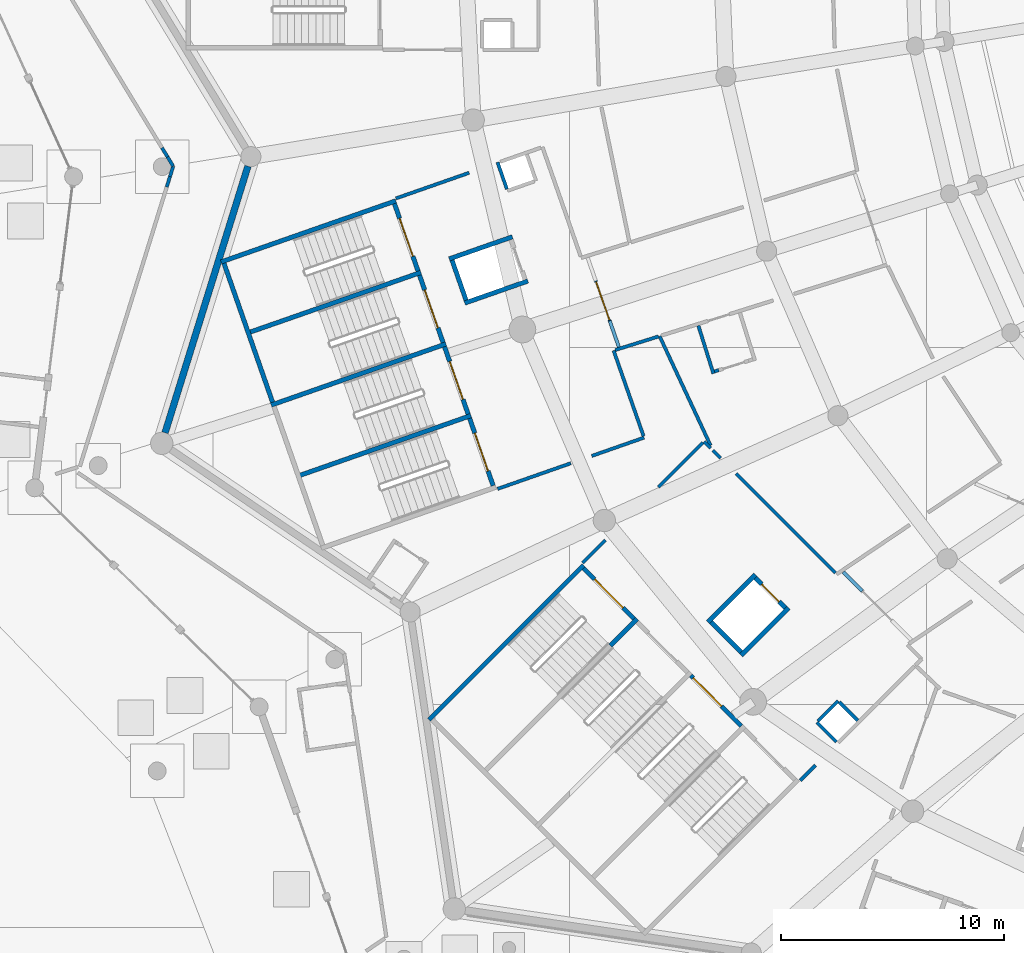
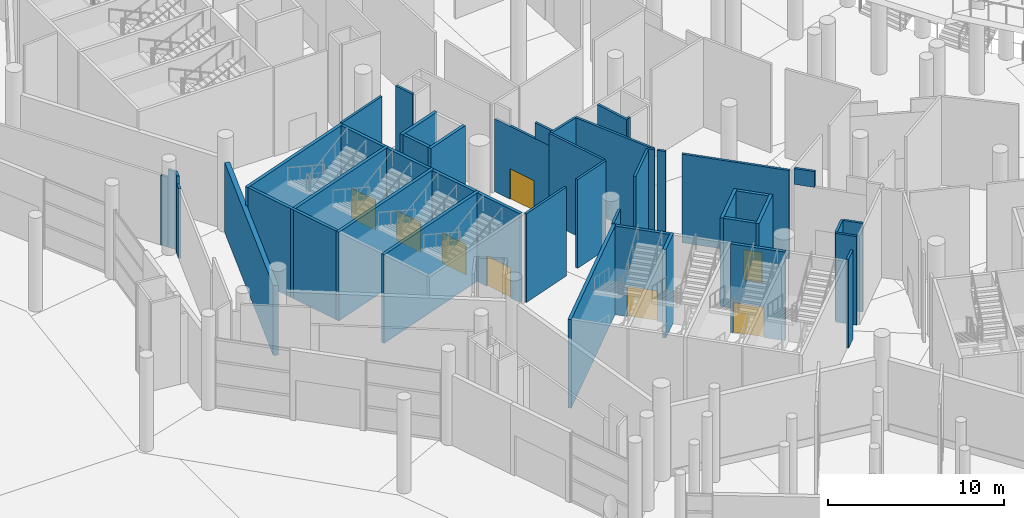
# One storey, part 102 of 255: 46 walls, 8 doors, 8 openings.
"""IFC4 building model written with IfcOpenShell, lengths in metres."""

from ifc_helpers import new_model, si_unit, direction, frame, frame_2d, origin, place, context, subcontext, project, spatial, rectangle, extrude, material, layer, layer_set, type_object, element, fill, save


model = new_model("IFC4")

# Units and contexts
model_context = context("Model", 3, precision=1e-05, world=origin(), true_north=direction((0.0, 1.0)))
body_context = subcontext(model_context, "Body", "Model", "MODEL_VIEW")
ifc_project = project(units=[si_unit("LENGTHUNIT", "METRE"), si_unit("AREAUNIT", "SQUARE_METRE"), si_unit("VOLUMEUNIT", "CUBIC_METRE"), si_unit("PLANEANGLEUNIT", "RADIAN"), si_unit("MASSUNIT", "GRAM", prefix="KILO")], contexts=[model_context])

# Site, building, storey
site_placement = place(None, origin())
site = spatial("IfcSite", under=ifc_project, at=site_placement, CompositionType="ELEMENT")
building_placement = place(site_placement, origin())
building = spatial("IfcBuilding", under=site, at=building_placement, Name="Meseta Stadium", CompositionType="ELEMENT")
storey_placement = place(building_placement, origin())
storey = spatial("IfcBuildingStorey", under=building, at=storey_placement, Name="L00", CompositionType="ELEMENT", Elevation=0.0)

# Walls
ifc_material_1 = material(Name="Concrete C40/50", Category="concrete")
ifc_layer_1 = layer(ifc_material_1, 0.199951171875)
ifc_layer_set_1 = layer_set([ifc_layer_1], Name="Core divider wall 200")
wall_type_1 = type_object("IfcWallType", Name="Core divider wall 200", PredefinedType="SHEAR", material=ifc_layer_set_1)
for number, where, z_axis, x_axis, name in (
    (1, (-94.505859375, -63.370849609375, 0.0), (0.0, 0.0, 1.0), (0.943878073457, 0.330294084791, 0.0), "Core 20 L00 stair A divider wall"),
    (2, (-92.260009765625, -69.789306640625, 0.0), (0.0, 0.0, 1.0), (0.943878073457, 0.330294084791, 0.0), "Core 20 L00 stair B divider wall"),
):
    element("IfcWall", number, at=place(storey_placement, frame(where, z_axis=z_axis, x_axis=x_axis)), inside=storey, type_object=wall_type_1, Name=name, PredefinedType="SHEAR", context=body_context, shape_type="SweptSolid", body=[
        extrude(rectangle(XDim=8.300048828125, YDim=0.199951171875, at=frame_2d((4.14990234375, 0.0))), origin(), (0.0, 0.0, 1.0), 6.14990234375),
    ])
wall_1_placement = place(storey_placement, frame((-78.17333984375, -77.364990234375, 0.0), z_axis=(0.0, 0.0, 1.0), x_axis=(0.707178586901, 0.707034968179, 0.0)))
element("IfcWall", 3, at=wall_1_placement, inside=storey, type_object=wall_type_1, Name="Core 21 L00 stair A divider wall", PredefinedType="SHEAR", context=body_context, shape_type="SweptSolid", body=[
    extrude(rectangle(XDim=1.699951171875, YDim=0.199951171875, at=frame_2d((0.85009765625, 0.0))), origin(), (0.0, 0.0, 1.0), 6.14990234375),
])
ifc_material_2 = material(Name="Concrete C40/50", Category="concrete")
ifc_layer_2 = layer(ifc_material_2, 0.199951171875)
ifc_layer_set_2 = layer_set([ifc_layer_2], Name="Core shaft wall 200")
wall_type_2 = type_object("IfcWallType", Name="Core shaft wall 200", PredefinedType="SHEAR", material=ifc_layer_set_2)
for number, where, z_axis, x_axis, name in (
    (4, (-95.62890625, -60.16162109375, 0.0), (0.0, 0.0, 1.0), (0.943887243331, 0.330267878966, 0.0), "Core 20 L00 stair wall A-side"),
    (5, (-93.3828125, -66.580078125, 0.0), (0.0, 0.0, 1.0), (0.943878073457, 0.330294084791, 0.0), "Core 20 L00 stair wall shared"),
):
    element("IfcWall", number, at=place(storey_placement, frame(where, z_axis=z_axis, x_axis=x_axis)), inside=storey, type_object=wall_type_2, Name=name, PredefinedType="SHEAR", context=body_context, shape_type="SweptSolid", body=[
        extrude(rectangle(XDim=8.300048828125, YDim=0.199951171875, at=frame_2d((4.14990234375, 0.0))), origin(), (0.0, 0.0, 1.0), 6.14990234375),
    ])
wall_2_placement = place(storey_placement, frame((-95.50146484375, -60.222900390625, 0.0), z_axis=(0.0, 0.0, 1.0), x_axis=(0.330286164688, -0.943880844925, 0.0)))
element("IfcWall", 6, at=wall_2_placement, inside=storey, type_object=wall_type_2, Name="Core 20 L00 stair A outer end wall", PredefinedType="SHEAR", context=body_context, shape_type="SweptSolid", body=[
    extrude(rectangle(XDim=6.60009765625, YDim=0.199951171875, at=frame_2d((3.300048828125, 0.0))), origin(), (0.0, 0.0, 1.0), 6.14990234375),
])

# Wall, opening, door
wall_3_placement = place(storey_placement, frame((-87.85595703125, -57.547607421875, 0.0), z_axis=(0.0, 0.0, 1.0), x_axis=(0.330268863922, -0.943886898693, 0.0)))
wall_3 = element("IfcWall", 7, at=wall_3_placement, inside=storey, type_object=wall_type_2, Name="Core 20 L00 stair A1 inner end wall", PredefinedType="SHEAR", context=body_context, shape_type="SweptSolid", body=[
    extrude(rectangle(XDim=3.2001953125, YDim=0.199951171875, at=frame_2d((1.60009765625, 0.0))), origin(), (0.0, 0.0, 1.0), 6.14990234375),
])
opening_1_placement = place(wall_3_placement, frame((0.699951171875, 0.0, 0.0)))
opening_1 = element("IfcOpeningElement", 8, at=opening_1_placement, cuts=wall_3, Name="Opening D273", PredefinedType="OPENING", context=body_context, shape_type="SweptSolid", body=[
    extrude(rectangle(XDim=1.800048828125, YDim=2.10009765625, at=frame_2d((0.89990234375, 1.050048828125))), frame((0.0, 0.10986328125, 0.0), z_axis=(0.0, -1.0, 0.0), x_axis=(1.0, 0.0, 0.0)), (0.0, 0.0, 1.0), 0.219970703125),
])
ifc_material_3 = material(Name="Steel", Category="steel")
door_type_1 = type_object("IfcDoorType", Name="Stair door 1800x2100", OperationType="DOUBLE_DOOR_SINGLE_SWING", PredefinedType="DOOR", material=ifc_material_3)
door_1_placement = place(opening_1_placement, origin())
door_1 = element("IfcDoor", 9, at=door_1_placement, inside=storey, type_object=door_type_1, Name="Stair A1 door 20 L00", OperationType="DOUBLE_DOOR_SINGLE_SWING", OverallHeight=2.10009765625, OverallWidth=1.800048828125, PredefinedType="DOOR", context=body_context, shape_type="SweptSolid", body=[
    extrude(rectangle(XDim=1.800048828125, YDim=2.10009765625, at=frame_2d((0.89990234375, 1.050048828125))), frame((0.0, 0.02490234375, 0.0), z_axis=(0.0, -1.0, 0.0), x_axis=(1.0, 0.0, 0.0)), (0.0, 0.0, 1.0), 0.050048828125),
])
fill(opening_1, door_1)

wall_4_placement = place(storey_placement, frame((-86.73291015625, -60.7568359375, 0.0), z_axis=(0.0, 0.0, 1.0), x_axis=(0.330268863922, -0.943886898693, 0.0)))
wall_4 = element("IfcWall", 10, at=wall_4_placement, inside=storey, type_object=wall_type_2, Name="Core 20 L00 stair A2 inner end wall", PredefinedType="SHEAR", context=body_context, shape_type="SweptSolid", body=[
    extrude(rectangle(XDim=3.2001953125, YDim=0.199951171875, at=frame_2d((1.60009765625, 0.0))), origin(), (0.0, 0.0, 1.0), 6.14990234375),
])
opening_2_placement = place(wall_4_placement, frame((0.699951171875, 0.0, 0.0)))
opening_2 = element("IfcOpeningElement", 11, at=opening_2_placement, cuts=wall_4, Name="Opening D274", PredefinedType="OPENING", context=body_context, shape_type="SweptSolid", body=[
    extrude(rectangle(XDim=1.800048828125, YDim=2.10009765625, at=frame_2d((0.89990234375, 1.050048828125))), frame((0.0, 0.10986328125, 0.0), z_axis=(0.0, -1.0, 0.0), x_axis=(1.0, 0.0, 0.0)), (0.0, 0.0, 1.0), 0.219970703125),
])
door_2_placement = place(opening_2_placement, origin())
door_2 = element("IfcDoor", 12, at=door_2_placement, inside=storey, type_object=door_type_1, Name="Stair A2 door 20 L00", OperationType="DOUBLE_DOOR_SINGLE_SWING", OverallHeight=2.10009765625, OverallWidth=1.800048828125, PredefinedType="DOOR", context=body_context, shape_type="SweptSolid", body=[
    extrude(rectangle(XDim=1.800048828125, YDim=2.10009765625, at=frame_2d((0.89990234375, 1.050048828125))), frame((0.0, 0.02490234375, 0.0), z_axis=(0.0, -1.0, 0.0), x_axis=(1.0, 0.0, 0.0)), (0.0, 0.0, 1.0), 0.050048828125),
])
fill(opening_2, door_2)

wall_5_placement = place(storey_placement, frame((-85.610107421875, -63.966064453125, 0.0), z_axis=(0.0, 0.0, 1.0), x_axis=(0.330268863922, -0.943886898693, 0.0)))
wall_5 = element("IfcWall", 13, at=wall_5_placement, inside=storey, type_object=wall_type_2, Name="Core 20 L00 stair B1 inner end wall", PredefinedType="SHEAR", context=body_context, shape_type="SweptSolid", body=[
    extrude(rectangle(XDim=3.2001953125, YDim=0.199951171875, at=frame_2d((1.60009765625, 0.0))), origin(), (0.0, 0.0, 1.0), 6.14990234375),
])
opening_3_placement = place(wall_5_placement, frame((0.699951171875, 0.0, 0.0)))
opening_3 = element("IfcOpeningElement", 14, at=opening_3_placement, cuts=wall_5, Name="Opening D275", PredefinedType="OPENING", context=body_context, shape_type="SweptSolid", body=[
    extrude(rectangle(XDim=1.800048828125, YDim=2.10009765625, at=frame_2d((0.89990234375, 1.050048828125))), frame((0.0, 0.10986328125, 0.0), z_axis=(0.0, -1.0, 0.0), x_axis=(1.0, 0.0, 0.0)), (0.0, 0.0, 1.0), 0.219970703125),
])
door_3_placement = place(opening_3_placement, origin())
door_3 = element("IfcDoor", 15, at=door_3_placement, inside=storey, type_object=door_type_1, Name="Stair B1 door 20 L00", OperationType="DOUBLE_DOOR_SINGLE_SWING", OverallHeight=2.10009765625, OverallWidth=1.800048828125, PredefinedType="DOOR", context=body_context, shape_type="SweptSolid", body=[
    extrude(rectangle(XDim=1.800048828125, YDim=2.10009765625, at=frame_2d((0.89990234375, 1.050048828125))), frame((0.0, 0.02490234375, 0.0), z_axis=(0.0, -1.0, 0.0), x_axis=(1.0, 0.0, 0.0)), (0.0, 0.0, 1.0), 0.050048828125),
])
fill(opening_3, door_3)

wall_6_placement = place(storey_placement, frame((-84.487060546875, -67.17529296875, 0.0), z_axis=(0.0, 0.0, 1.0), x_axis=(0.330268863922, -0.943886898693, 0.0)))
wall_6 = element("IfcWall", 16, at=wall_6_placement, inside=storey, type_object=wall_type_2, Name="Core 20 L00 stair B2 inner end wall", PredefinedType="SHEAR", context=body_context, shape_type="SweptSolid", body=[
    extrude(rectangle(XDim=3.2001953125, YDim=0.199951171875, at=frame_2d((1.60009765625, 0.0))), origin(), (0.0, 0.0, 1.0), 6.14990234375),
])
opening_4_placement = place(wall_6_placement, frame((0.699951171875, 0.0, 0.0)))
opening_4 = element("IfcOpeningElement", 17, at=opening_4_placement, cuts=wall_6, Name="Opening D276", PredefinedType="OPENING", context=body_context, shape_type="SweptSolid", body=[
    extrude(rectangle(XDim=1.800048828125, YDim=2.10009765625, at=frame_2d((0.89990234375, 1.050048828125))), frame((0.0, 0.10986328125, 0.0), z_axis=(0.0, -1.0, 0.0), x_axis=(1.0, 0.0, 0.0)), (0.0, 0.0, 1.0), 0.219970703125),
])
door_4_placement = place(opening_4_placement, origin())
door_4 = element("IfcDoor", 18, at=door_4_placement, inside=storey, type_object=door_type_1, Name="Stair B2 door 20 L00", OperationType="DOUBLE_DOOR_SINGLE_SWING", OverallHeight=2.10009765625, OverallWidth=1.800048828125, PredefinedType="DOOR", context=body_context, shape_type="SweptSolid", body=[
    extrude(rectangle(XDim=1.800048828125, YDim=2.10009765625, at=frame_2d((0.89990234375, 1.050048828125))), frame((0.0, 0.02490234375, 0.0), z_axis=(0.0, -1.0, 0.0), x_axis=(1.0, 0.0, 0.0)), (0.0, 0.0, 1.0), 0.050048828125),
])
fill(opening_4, door_4)

# Walls
wall_7_placement = place(storey_placement, frame((-85.39990234375, -60.025390625, 0.0), z_axis=(0.0, 0.0, 1.0), x_axis=(0.943900215722, 0.330230802259, 0.0)))
element("IfcWall", 19, at=wall_7_placement, inside=storey, type_object=wall_type_2, Name="Core 20 L00 lift shaft wall left", PredefinedType="SHEAR", context=body_context, shape_type="SweptSolid", body=[
    extrude(rectangle(XDim=3.0, YDim=0.199951171875, at=frame_2d((1.5, 0.0))), origin(), (0.0, 0.0, 1.0), 6.14990234375),
])
wall_8_placement = place(storey_placement, frame((-84.706298828125, -62.0078125, 0.0), z_axis=(0.0, 0.0, 1.0), x_axis=(0.943874847782, 0.330303302625, 0.0)))
element("IfcWall", 20, at=wall_8_placement, inside=storey, type_object=wall_type_2, Name="Core 20 L00 lift shaft wall right", PredefinedType="SHEAR", context=body_context, shape_type="SweptSolid", body=[
    extrude(rectangle(XDim=3.000244140625, YDim=0.199951171875, at=frame_2d((1.5, 0.0))), origin(), (0.0, 0.0, 1.0), 6.14990234375),
])
wall_9_placement = place(storey_placement, frame((-85.272216796875, -60.0869140625, 0.0), z_axis=(0.0, 0.0, 1.0), x_axis=(0.330224505327, -0.943902418729, 0.0)))
element("IfcWall", 21, at=wall_9_placement, inside=storey, type_object=wall_type_2, Name="Core 20 L00 lift shaft back wall", PredefinedType="SHEAR", context=body_context, shape_type="SweptSolid", body=[
    extrude(rectangle(XDim=1.900146484375, YDim=0.199951171875, at=frame_2d((0.9501953125, 0.0))), origin(), (0.0, 0.0, 1.0), 6.14990234375),
])
wall_10_placement = place(storey_placement, frame((-86.30517578125, -80.6884765625, 0.0), z_axis=(0.0, 0.0, 1.0), x_axis=(0.707106781187, 0.707106781187, 0.0)))
element("IfcWall", 22, at=wall_10_placement, inside=storey, type_object=wall_type_2, Name="Core 21 L00 stair wall A-side", PredefinedType="SHEAR", context=body_context, shape_type="SweptSolid", body=[
    extrude(rectangle(XDim=9.800048828125, YDim=0.199951171875, at=frame_2d((4.89990234375, 0.0))), origin(), (0.0, 0.0, 1.0), 6.14990234375),
])

# Wall, opening, door
wall_11_placement = place(storey_placement, frame((-79.37548828125, -73.900146484375, 0.0), z_axis=(0.0, 0.0, 1.0), x_axis=(0.707068634461, -0.707144925854, 0.0)))
wall_11 = element("IfcWall", 23, at=wall_11_placement, inside=storey, type_object=wall_type_2, Name="Core 21 L00 stair A1 inner end wall", PredefinedType="SHEAR", context=body_context, shape_type="SweptSolid", body=[
    extrude(rectangle(XDim=3.2001953125, YDim=0.199951171875, at=frame_2d((1.60009765625, 0.0))), origin(), (0.0, 0.0, 1.0), 6.14990234375),
])
opening_5_placement = place(wall_11_placement, frame((0.699951171875, 0.0, 0.0)))
opening_5 = element("IfcOpeningElement", 24, at=opening_5_placement, cuts=wall_11, Name="Opening D285", PredefinedType="OPENING", context=body_context, shape_type="SweptSolid", body=[
    extrude(rectangle(XDim=1.800048828125, YDim=2.10009765625, at=frame_2d((0.89990234375, 1.050048828125))), frame((0.0, 0.10986328125, 0.0), z_axis=(0.0, -1.0, 0.0), x_axis=(1.0, 0.0, 0.0)), (0.0, 0.0, 1.0), 0.219970703125),
])
door_5_placement = place(opening_5_placement, origin())
door_5 = element("IfcDoor", 25, at=door_5_placement, inside=storey, type_object=door_type_1, Name="Stair A1 door 21 L00", OperationType="DOUBLE_DOOR_SINGLE_SWING", OverallHeight=2.10009765625, OverallWidth=1.800048828125, PredefinedType="DOOR", context=body_context, shape_type="SweptSolid", body=[
    extrude(rectangle(XDim=1.800048828125, YDim=2.10009765625, at=frame_2d((0.89990234375, 1.050048828125))), frame((0.0, 0.02490234375, 0.0), z_axis=(0.0, -1.0, 0.0), x_axis=(1.0, 0.0, 0.0)), (0.0, 0.0, 1.0), 0.050048828125),
])
fill(opening_5, door_5)

wall_12_placement = place(storey_placement, frame((-74.567138671875, -78.70849609375, 0.0), z_axis=(0.0, 0.0, 1.0), x_axis=(0.707106781187, -0.707106781187, 0.0)))
wall_12 = element("IfcWall", 26, at=wall_12_placement, inside=storey, type_object=wall_type_2, Name="Core 21 L00 stair B1 inner end wall", PredefinedType="SHEAR", context=body_context, shape_type="SweptSolid", body=[
    extrude(rectangle(XDim=3.199951171875, YDim=0.199951171875, at=frame_2d((1.60009765625, 0.0))), origin(), (0.0, 0.0, 1.0), 6.14990234375),
])
opening_6_placement = place(wall_12_placement, frame((0.14990234375, 0.0, 0.0)))
opening_6 = element("IfcOpeningElement", 27, at=opening_6_placement, cuts=wall_12, Name="Opening D287", PredefinedType="OPENING", context=body_context, shape_type="SweptSolid", body=[
    extrude(rectangle(XDim=1.800048828125, YDim=2.10009765625, at=frame_2d((0.89990234375, 1.050048828125))), frame((0.0, 0.10986328125, 0.0), z_axis=(0.0, -1.0, 0.0), x_axis=(1.0, 0.0, 0.0)), (0.0, 0.0, 1.0), 0.219970703125),
])
door_6_placement = place(opening_6_placement, origin())
door_6 = element("IfcDoor", 28, at=door_6_placement, inside=storey, type_object=door_type_1, Name="Stair B1 door 21 L00", OperationType="DOUBLE_DOOR_SINGLE_SWING", OverallHeight=2.10009765625, OverallWidth=1.800048828125, PredefinedType="DOOR", context=body_context, shape_type="SweptSolid", body=[
    extrude(rectangle(XDim=1.800048828125, YDim=2.10009765625, at=frame_2d((0.89990234375, 1.050048828125))), frame((0.0, 0.02490234375, 0.0), z_axis=(0.0, -1.0, 0.0), x_axis=(1.0, 0.0, 0.0)), (0.0, 0.0, 1.0), 0.050048828125),
])
fill(opening_6, door_6)

# Walls
for number, where, z_axis, x_axis, name in (
    (29, (-73.796875, -76.311767578125, 0.0), (0.0, 0.0, 1.0), (0.707106781187, 0.707106781187, 0.0), "Core 21 L00 lift shaft wall left"),
    (30, (-72.311767578125, -77.796875, 0.0), (0.0, 0.0, 1.0), (0.707106781187, 0.707106781187, 0.0), "Core 21 L00 lift shaft wall right"),
):
    element("IfcWall", number, at=place(storey_placement, frame(where, z_axis=z_axis, x_axis=x_axis)), inside=storey, type_object=wall_type_2, Name=name, PredefinedType="SHEAR", context=body_context, shape_type="SweptSolid", body=[
        extrude(rectangle(XDim=3.0, YDim=0.199951171875, at=frame_2d((1.5, 0.0))), origin(), (0.0, 0.0, 1.0), 6.14990234375),
    ])
wall_13_placement = place(storey_placement, frame((-73.655517578125, -76.311767578125, 0.0), z_axis=(0.0, 0.0, 1.0), x_axis=(0.707106781187, -0.707106781187, 0.0)))
element("IfcWall", 31, at=wall_13_placement, inside=storey, type_object=wall_type_2, Name="Core 21 L00 lift shaft back wall", PredefinedType="SHEAR", context=body_context, shape_type="SweptSolid", body=[
    extrude(rectangle(XDim=1.900390625, YDim=0.199951171875, at=frame_2d((0.9501953125, 0.0))), origin(), (0.0, 0.0, 1.0), 6.14990234375),
])

# Wall, opening, door
wall_14_placement = place(storey_placement, frame((-71.675537109375, -74.331787109375, 0.0), z_axis=(0.0, 0.0, 1.0), x_axis=(0.707106781187, -0.707106781187, 0.0)))
wall_14 = element("IfcWall", 32, at=wall_14_placement, inside=storey, type_object=wall_type_2, Name="Core 21 L00 lift shaft front wall", PredefinedType="SHEAR", context=body_context, shape_type="SweptSolid", body=[
    extrude(rectangle(XDim=1.900390625, YDim=0.199951171875, at=frame_2d((0.9501953125, 0.0))), origin(), (0.0, 0.0, 1.0), 6.14990234375),
])
opening_7_placement = place(wall_14_placement, frame((0.39990234375, 0.0, 0.0)))
opening_7 = element("IfcOpeningElement", 33, at=opening_7_placement, cuts=wall_14, Name="Opening LD116", PredefinedType="OPENING", context=body_context, shape_type="SweptSolid", body=[
    extrude(rectangle(XDim=1.10009765625, YDim=2.10009765625, at=frame_2d((0.550048828125, 1.050048828125))), frame((0.0, 0.10986328125, 0.0), z_axis=(0.0, -1.0, 0.0), x_axis=(1.0, 0.0, 0.0)), (0.0, 0.0, 1.0), 0.219970703125),
])
ifc_material_4 = material(Name="Steel", Category="steel")
door_type_2 = type_object("IfcDoorType", Name="Lift landing door 1100x2100", OperationType="SLIDING_TO_LEFT", PredefinedType="DOOR", material=ifc_material_4)
door_7_placement = place(opening_7_placement, origin())
door_7 = element("IfcDoor", 34, at=door_7_placement, inside=storey, type_object=door_type_2, Name="Lift landing door LD116", OperationType="SLIDING_TO_RIGHT", OverallHeight=2.10009765625, OverallWidth=1.10009765625, PredefinedType="DOOR", context=body_context, shape_type="SweptSolid", body=[
    extrude(rectangle(XDim=1.10009765625, YDim=2.10009765625, at=frame_2d((0.550048828125, 1.050048828125))), frame((0.0, 0.02490234375, 0.0), z_axis=(0.0, -1.0, 0.0), x_axis=(1.0, 0.0, 0.0)), (0.0, 0.0, 1.0), 0.050048828125),
])
fill(opening_7, door_7)

# Walls
ifc_material_5 = material(Name="Masonry blockwork", Category="masonry")
ifc_layer_3 = layer(ifc_material_5, 0.14990234375)
ifc_layer_set_3 = layer_set([ifc_layer_3], Name="Partition 150")
wall_type_3 = type_object("IfcWallType", Name="Partition 150", PredefinedType="PARTITIONING", material=ifc_layer_set_3)
wall_15_placement = place(storey_placement, frame((-84.505126953125, -56.163330078125, 0.0), z_axis=(0.0, 0.0, 1.0), x_axis=(-0.943878042103, -0.330294174389, 0.0)))
element("IfcWall", 35, at=wall_15_placement, inside=storey, type_object=wall_type_3, Name="Partition L00 L00-cell18-2-0", PredefinedType="PARTITIONING", context=body_context, shape_type="SweptSolid", body=[
    extrude(rectangle(XDim=3.47998046875, YDim=0.14990234375, at=frame_2d((1.739990234375, 0.0))), origin(), (0.0, 0.0, 1.0), 6.14990234375),
])
wall_16_placement = place(storey_placement, frame((-68.080322265625, -74.108642578125, 0.0), z_axis=(0.0, 0.0, 1.0), x_axis=(-0.70712613939, 0.707087422453, 0.0)))
element("IfcWall", 36, at=wall_16_placement, inside=storey, type_object=wall_type_3, Name="Partition L00 L00-cell19-1-0", PredefinedType="PARTITIONING", context=body_context, shape_type="SweptSolid", body=[
    extrude(rectangle(XDim=6.3056640625, YDim=0.14990234375, at=frame_2d((3.15283203125, 0.0))), origin(), (0.0, 0.0, 1.0), 6.14990234375),
])
wall_17_placement = place(storey_placement, frame((-73.2333984375, -68.95556640625, 0.0), z_axis=(0.0, 0.0, 1.0), x_axis=(-0.707355281174, 0.706858193837, 0.0)))
element("IfcWall", 37, at=wall_17_placement, inside=storey, type_object=wall_type_3, Name="Partition L00 L00-cell19-1-0", PredefinedType="PARTITIONING", context=body_context, shape_type="SweptSolid", body=[
    extrude(rectangle(XDim=0.4912109375, YDim=0.14990234375, at=frame_2d((0.24560546875, 0.0))), origin(), (0.0, 0.0, 1.0), 6.14990234375),
])
wall_18_placement = place(storey_placement, frame((-73.683837890625, -68.386962890625, 0.0), z_axis=(0.0, 0.0, 1.0), x_axis=(-0.42266047211, 0.906288102821, 0.0)))
element("IfcWall", 38, at=wall_18_placement, inside=storey, type_object=wall_type_3, Name="Partition L00 L00-cell19-1-0", PredefinedType="PARTITIONING", context=body_context, shape_type="SweptSolid", body=[
    extrude(rectangle(XDim=5.406005859375, YDim=0.14990234375, at=frame_2d((2.703125, 0.0))), origin(), (0.0, 0.0, 1.0), 6.14990234375),
])
wall_19_placement = place(storey_placement, frame((-83.23193359375, -70.33837890625, 0.0), z_axis=(0.0, 0.0, 1.0), x_axis=(0.943878042103, 0.330294174389, 0.0)))
element("IfcWall", 39, at=wall_19_placement, inside=storey, type_object=wall_type_3, Name="Partition L00 L00-cell19-2-0", PredefinedType="PARTITIONING", context=body_context, shape_type="SweptSolid", body=[
    extrude(rectangle(XDim=3.47998046875, YDim=0.14990234375, at=frame_2d((1.739990234375, 0.0))), origin(), (0.0, 0.0, 1.0), 6.14990234375),
])
wall_20_placement = place(storey_placement, frame((-79.0087890625, -68.860595703125, 0.0), z_axis=(0.0, 0.0, 1.0), x_axis=(0.943873667714, 0.330306674768, 0.0)))
element("IfcWall", 40, at=wall_20_placement, inside=storey, type_object=wall_type_3, Name="Partition L00 L00-cell19-2-0", PredefinedType="PARTITIONING", context=body_context, shape_type="SweptSolid", body=[
    extrude(rectangle(XDim=2.485595703125, YDim=0.14990234375, at=frame_2d((1.24267578125, 0.0))), origin(), (0.0, 0.0, 1.0), 6.14990234375),
])
wall_21_placement = place(storey_placement, frame((-76.6875, -67.96875, 0.0), z_axis=(0.0, 0.0, 1.0), x_axis=(-0.330235334568, 0.943898630046, 0.0)))
element("IfcWall", 41, at=wall_21_placement, inside=storey, type_object=wall_type_3, Name="Partition L00 L00-cell19-2-0", PredefinedType="PARTITIONING", context=body_context, shape_type="SweptSolid", body=[
    extrude(rectangle(XDim=4.063232421875, YDim=0.14990234375, at=frame_2d((2.03173828125, 0.0))), origin(), (0.0, 0.0, 1.0), 6.14990234375),
])
wall_22_placement = place(storey_placement, frame((-77.957763671875, -64.111083984375, 0.0), z_axis=(0.0, 0.0, 1.0), x_axis=(0.954206277419, 0.299149427767, 0.0)))
element("IfcWall", 42, at=wall_22_placement, inside=storey, type_object=wall_type_3, Name="Partition L00 L00-cell19-2-0", PredefinedType="PARTITIONING", context=body_context, shape_type="SweptSolid", body=[
    extrude(rectangle(XDim=2.03466796875, YDim=0.14990234375, at=frame_2d((1.017333984375, 0.0))), origin(), (0.0, 0.0, 1.0), 6.14990234375),
])
wall_23_placement = place(storey_placement, frame((-73.68408203125, -68.5048828125, 0.0), z_axis=(0.0, 0.0, 1.0), x_axis=(-0.707106781187, 0.707106781187, 0.0)))
element("IfcWall", 43, at=wall_23_placement, inside=storey, type_object=wall_type_3, Name="Partition L00 L00-cell19-2-0", PredefinedType="PARTITIONING", context=body_context, shape_type="SweptSolid", body=[
    extrude(rectangle(XDim=0.4091796875, YDim=0.14990234375, at=frame_2d((0.20458984375, 0.0))), origin(), (0.0, 0.0, 1.0), 6.14990234375),
])
wall_24_placement = place(storey_placement, frame((-74.026611328125, -68.2685546875, 0.0), z_axis=(0.0, 0.0, 1.0), x_axis=(-0.707106781187, -0.707106781187, 0.0)))
element("IfcWall", 44, at=wall_24_placement, inside=storey, type_object=wall_type_3, Name="Partition L00 L00-cell19-2-0", PredefinedType="PARTITIONING", context=body_context, shape_type="SweptSolid", body=[
    extrude(rectangle(XDim=2.812255859375, YDim=0.14990234375, at=frame_2d((1.40625, 0.0))), origin(), (0.0, 0.0, 1.0), 6.14990234375),
])
wall_25_placement = place(storey_placement, frame((-78.39697265625, -72.638916015625, 0.0), z_axis=(0.0, 0.0, 1.0), x_axis=(-0.707106781187, -0.707106781187, 0.0)))
element("IfcWall", 45, at=wall_25_placement, inside=storey, type_object=wall_type_3, Name="Partition L00 L00-cell19-2-0", PredefinedType="PARTITIONING", context=body_context, shape_type="SweptSolid", body=[
    extrude(rectangle(XDim=1.44384765625, YDim=0.14990234375, at=frame_2d((0.721923828125, 0.0))), origin(), (0.0, 0.0, 1.0), 6.14990234375),
])
wall_26_placement = place(storey_placement, frame((-69.659912109375, -83.41796875, 0.0), z_axis=(0.0, 0.0, 1.0), x_axis=(0.706980568466, 0.707232971383, 0.0)))
element("IfcWall", 46, at=wall_26_placement, inside=storey, type_object=wall_type_3, Name="Partition L00 L00-cell20-2-0", PredefinedType="PARTITIONING", context=body_context, shape_type="SweptSolid", body=[
    extrude(rectangle(XDim=0.96728515625, YDim=0.14990234375, at=frame_2d((0.483642578125, 0.0))), origin(), (0.0, 0.0, 1.0), 6.14990234375),
])
wall_27_placement = place(storey_placement, frame((-98.2802734375, -55.044677734375, 0.0), z_axis=(0.0, 0.0, 1.0), x_axis=(0.519690320674, -0.854354710058, 0.0)))
element("IfcWall", 47, at=wall_27_placement, inside=storey, type_object=wall_type_3, Name="Partition L00 L00-ring18-0", PredefinedType="PARTITIONING", context=body_context, shape_type="SweptSolid", body=[
    extrude(rectangle(XDim=0.48291015625, YDim=0.14990234375, at=frame_2d((0.241455078125, 0.0))), origin(), (0.0, 0.0, 1.0), 4.85009765625),
])
wall_28_placement = place(storey_placement, frame((-98.029296875, -55.457275390625, 0.0), z_axis=(0.0, 0.0, 1.0), x_axis=(0.518951736183, -0.854803542056, 0.0)))
element("IfcWall", 48, at=wall_28_placement, inside=storey, type_object=wall_type_3, Name="Partition L00 L00-ring18-0", PredefinedType="PARTITIONING", context=body_context, shape_type="SweptSolid", body=[
    extrude(rectangle(XDim=0.482666015625, YDim=0.14990234375, at=frame_2d((0.2412109375, 0.0))), origin(), (0.0, 0.0, 1.0), 5.39990234375),
])
wall_29_placement = place(storey_placement, frame((-97.77880859375, -55.869873046875, 0.0), z_axis=(0.0, 0.0, 1.0), x_axis=(-0.296873171233, -0.954916917958, 0.0)))
element("IfcWall", 49, at=wall_29_placement, inside=storey, type_object=wall_type_3, Name="Partition L00 L00-ring18-0", PredefinedType="PARTITIONING", context=body_context, shape_type="SweptSolid", body=[
    extrude(rectangle(XDim=0.486083984375, YDim=0.14990234375, at=frame_2d((0.2431640625, 0.0))), origin(), (0.0, 0.0, 1.0), 5.39990234375),
])
wall_30_placement = place(storey_placement, frame((-97.923095703125, -56.333984375, 0.0), z_axis=(0.0, 0.0, 1.0), x_axis=(-0.296730832925, -0.95496115774, 0.0)))
element("IfcWall", 50, at=wall_30_placement, inside=storey, type_object=wall_type_3, Name="Partition L00 L00-ring18-0", PredefinedType="PARTITIONING", context=body_context, shape_type="SweptSolid", body=[
    extrude(rectangle(XDim=0.486328125, YDim=0.14990234375, at=frame_2d((0.2431640625, 0.0))), origin(), (0.0, 0.0, 1.0), 4.85009765625),
])
wall_31_placement = place(storey_placement, frame((-83.234619140625, -55.692138671875, 0.0), z_axis=(0.0, 0.0, 1.0), x_axis=(0.330324835387, -0.943867312246, 0.0)))
element("IfcWall", 51, at=wall_31_placement, inside=storey, type_object=wall_type_3, Name="Pressurisation shaft wall L00 core 20", PredefinedType="PARTITIONING", context=body_context, shape_type="SweptSolid", body=[
    extrude(rectangle(XDim=1.27490234375, YDim=0.14990234375, at=frame_2d((0.637451171875, 0.0))), origin(), (0.0, 0.0, 1.0), 6.14990234375),
])
wall_32_placement = place(storey_placement, frame((-68.917724609375, -80.802001953125, 0.0), z_axis=(0.0, 0.0, 1.0), x_axis=(0.707106781187, -0.707106781187, 0.0)))
element("IfcWall", 52, at=wall_32_placement, inside=storey, type_object=wall_type_3, Name="Pressurisation shaft wall L00 core 21", PredefinedType="PARTITIONING", context=body_context, shape_type="SweptSolid", body=[
    extrude(rectangle(XDim=1.248779296875, YDim=0.14990234375, at=frame_2d((0.62451171875, 0.0))), origin(), (0.0, 0.0, 1.0), 6.14990234375),
])
wall_33_placement = place(storey_placement, frame((-67.080078125, -80.73046875, 0.0), z_axis=(0.0, 0.0, 1.0), x_axis=(-0.707106781187, 0.707106781187, 0.0)))
element("IfcWall", 53, at=wall_33_placement, inside=storey, type_object=wall_type_3, Name="Pressurisation shaft wall L00 core 21", PredefinedType="PARTITIONING", context=body_context, shape_type="SweptSolid", body=[
    extrude(rectangle(XDim=1.173828125, YDim=0.14990234375, at=frame_2d((0.5869140625, 0.0))), origin(), (0.0, 0.0, 1.0), 6.14990234375),
])
wall_34_placement = place(storey_placement, frame((-67.963134765625, -79.847412109375, 0.0), z_axis=(0.0, 0.0, 1.0), x_axis=(-0.707202523759, -0.707011025648, 0.0)))
element("IfcWall", 54, at=wall_34_placement, inside=storey, type_object=wall_type_3, Name="Pressurisation shaft wall L00 core 21", PredefinedType="PARTITIONING", context=body_context, shape_type="SweptSolid", body=[
    extrude(rectangle(XDim=1.27490234375, YDim=0.14990234375, at=frame_2d((0.637451171875, 0.0))), origin(), (0.0, 0.0, 1.0), 6.14990234375),
])
wall_35_placement = place(storey_placement, frame((-74.228271484375, -63.0205078125, 0.0), z_axis=(0.0, 0.0, 1.0), x_axis=(0.299250977053, -0.954174435171, 0.0)))
element("IfcWall", 55, at=wall_35_placement, inside=storey, type_object=wall_type_3, Name="Partition L00 L00-cell19-1-0 vestibule", PredefinedType="PARTITIONING", context=body_context, shape_type="SweptSolid", body=[
    extrude(rectangle(XDim=2.25, YDim=0.14990234375, at=frame_2d((1.125, 0.0))), origin(), (0.0, 0.0, 1.0), 6.14990234375),
])
wall_36_placement = place(storey_placement, frame((-73.505859375, -65.073486328125, 0.0), z_axis=(0.0, 0.0, 1.0), x_axis=(0.953803895117, 0.300429908065, 0.0)))
element("IfcWall", 56, at=wall_36_placement, inside=storey, type_object=wall_type_3, Name="Partition L00 L00-cell19-1-0 vestibule", PredefinedType="PARTITIONING", context=body_context, shape_type="SweptSolid", body=[
    extrude(rectangle(XDim=0.199951171875, YDim=0.14990234375, at=frame_2d((0.10009765625, 0.0))), origin(), (0.0, 0.0, 1.0), 6.14990234375),
])

# Wall, opening, door
wall_37_placement = place(storey_placement, frame((-79.19482421875, -59.97021484375, 0.0), z_axis=(0.0, 0.0, 1.0), x_axis=(0.330288941726, -0.943879873169, 0.0)))
wall_37 = element("IfcWall", 57, at=wall_37_placement, inside=storey, type_object=wall_type_3, Name="Escape corridor sector wall L00 core 20", PredefinedType="PARTITIONING", context=body_context, shape_type="SweptSolid", body=[
    extrude(rectangle(XDim=4.2451171875, YDim=0.14990234375, at=frame_2d((2.12255859375, 0.0))), origin(), (0.0, 0.0, 1.0), 5.050048828125),
])
opening_8_placement = place(wall_37_placement, frame((1.14990234375, 0.0, 0.0)))
opening_8 = element("IfcOpeningElement", 58, at=opening_8_placement, cuts=wall_37, Name="Opening D424", PredefinedType="OPENING", context=body_context, shape_type="SweptSolid", body=[
    extrude(rectangle(XDim=1.800048828125, YDim=2.10009765625, at=frame_2d((0.89990234375, 1.050048828125))), frame((0.0, 0.0849609375, 0.0), z_axis=(0.0, -1.0, 0.0), x_axis=(1.0, 0.0, 0.0)), (0.0, 0.0, 1.0), 0.169921875),
])
ifc_material_6 = material(Name="Steel", Category="steel")
door_type_3 = type_object("IfcDoorType", Name="Fire double door 1800x2100 EI2 60", OperationType="DOUBLE_DOOR_SINGLE_SWING", PredefinedType="DOOR", material=ifc_material_6)
door_8_placement = place(opening_8_placement, origin())
door_8 = element("IfcDoor", 59, at=door_8_placement, inside=storey, type_object=door_type_3, Name="Escape corridor door EC20-1", OperationType="DOUBLE_DOOR_SINGLE_SWING", OverallHeight=2.10009765625, OverallWidth=1.800048828125, PredefinedType="DOOR", context=body_context, shape_type="SweptSolid", body=[
    extrude(rectangle(XDim=1.800048828125, YDim=2.10009765625, at=frame_2d((0.89990234375, 1.050048828125))), frame((0.0, 0.02490234375, 0.0), z_axis=(0.0, -1.0, 0.0), x_axis=(1.0, 0.0, 0.0)), (0.0, 0.0, 1.0), 0.050048828125),
])
fill(opening_8, door_8)

# Walls
wall_38_placement = place(storey_placement, frame((-78.2041015625, -62.8017578125, 5.050048828125), z_axis=(0.0, 0.0, 1.0), x_axis=(0.3303678914, -0.943852242849, 0.0)))
element("IfcWall", 60, at=wall_38_placement, inside=storey, type_object=wall_type_3, Name="Escape corridor sector wall L00 core 20", PredefinedType="PARTITIONING", context=body_context, shape_type="SweptSolid", body=[
    extrude(rectangle(XDim=1.2451171875, YDim=0.14990234375, at=frame_2d((0.62255859375, 0.0))), origin(), (0.0, 0.0, 1.0), 1.099853515625),
])
wall_39_placement = place(storey_placement, frame((-67.729248046875, -74.07080078125, 5.050048828125), z_axis=(0.0, 0.0, 1.0), x_axis=(0.707106781187, -0.707106781187, 0.0)))
element("IfcWall", 61, at=wall_39_placement, inside=storey, type_object=wall_type_3, Name="Escape corridor sector wall L00 core 21", PredefinedType="PARTITIONING", context=body_context, shape_type="SweptSolid", body=[
    extrude(rectangle(XDim=1.2001953125, YDim=0.14990234375, at=frame_2d((0.60009765625, 0.0))), origin(), (0.0, 0.0, 1.0), 1.099853515625),
])
ifc_material_7 = material(Name="White precast concrete C40/50", Category="concrete")
ifc_layer_4 = layer(ifc_material_7, 0.300048828125)
ifc_layer_set_4 = layer_set([ifc_layer_4], Name="Pleated panel wall 300 concourse")
wall_type_4 = type_object("IfcWallType", Name="Pleated panel wall 300 concourse", PredefinedType="SOLIDWALL", material=ifc_layer_set_4)
wall_40_placement = place(storey_placement, frame((-98.142822265625, -67.820068359375, 0.0), z_axis=(0.0, 0.0, 1.0), x_axis=(0.29687600697, 0.954916036354, 0.0)))
element("IfcWall", 62, at=wall_40_placement, inside=storey, type_object=wall_type_4, Name="Pleated facade panel L00 F37", PredefinedType="SOLIDWALL", context=body_context, shape_type="SweptSolid", body=[
    extrude(rectangle(XDim=12.51318359375, YDim=0.300048828125, at=frame_2d((6.256591796875, 0.0))), origin(), (0.0, 0.0, 1.0), 4.85009765625),
])

save(model, "model.ifc")
